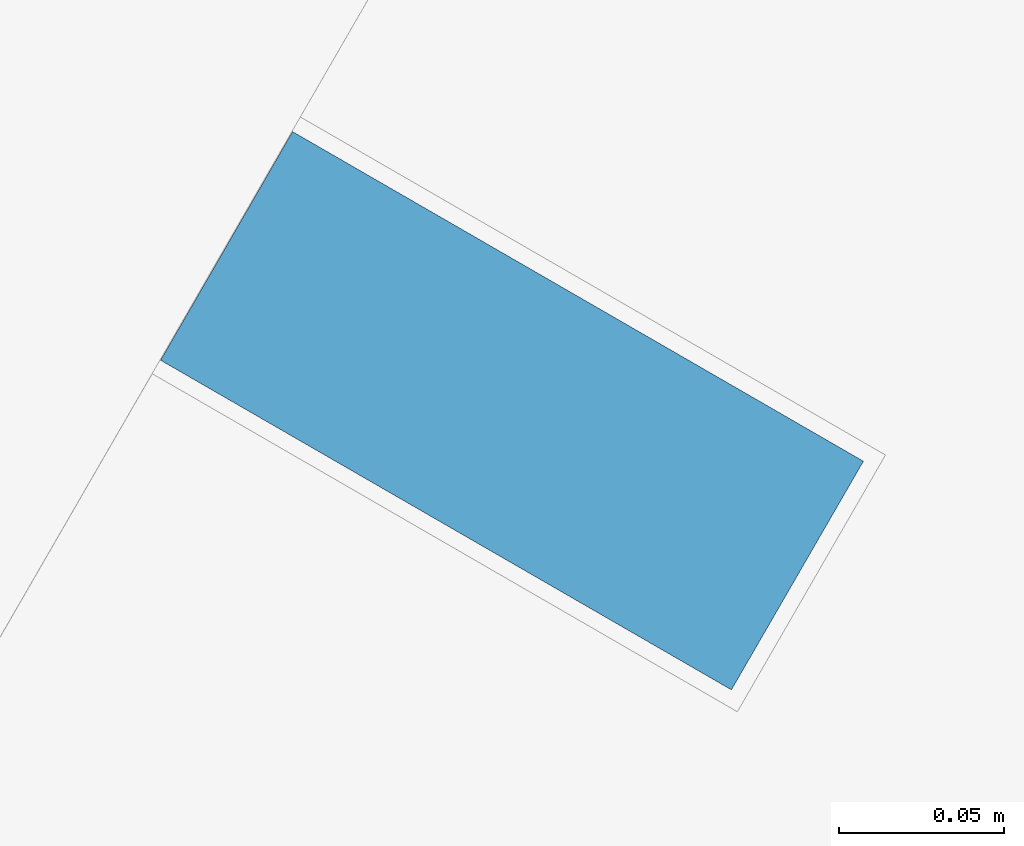
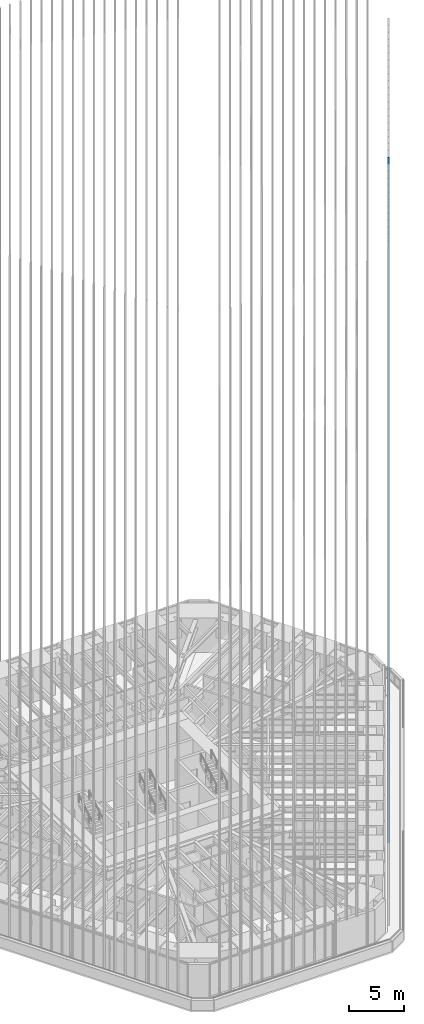
# One storey, part 88 of 238: 1 member, 1 element without a shape of its own.
"""IFC4 building model written with IfcOpenShell, lengths in metres."""

from ifc_helpers import new_model, si_unit, direction, frame, origin, origin_2d, place, context, subcontext, project, spatial, rectangle, extrude, material, material_profile, profile_set, type_object, element, aggregate, save


model = new_model("IFC4")

# Units and contexts
model_context = context("Model", 3, precision=1e-05, world=origin(), true_north=direction((0.0, 1.0)))
body_context = subcontext(model_context, "Body", "Model", "MODEL_VIEW")
ifc_project = project(units=[si_unit("LENGTHUNIT", "METRE"), si_unit("AREAUNIT", "SQUARE_METRE"), si_unit("VOLUMEUNIT", "CUBIC_METRE"), si_unit("PLANEANGLEUNIT", "RADIAN"), si_unit("MASSUNIT", "GRAM", prefix="KILO")], contexts=[model_context])

# Site, building, storey
site_placement = place(None, origin())
site = spatial("IfcSite", under=ifc_project, at=site_placement, CompositionType="ELEMENT")
building_placement = place(site_placement, origin())
building = spatial("IfcBuilding", under=site, at=building_placement, Name="Sandreach Pilgrim Tower", CompositionType="ELEMENT")
storey_placement = place(building_placement, frame((0.0, 0.0, 96.800048828125)))
storey = spatial("IfcBuildingStorey", under=building, at=storey_placement, Name="L23", CompositionType="ELEMENT", Elevation=96.800048828125)

# Curtain wall, member
ifc_material_1 = material(Name="Aluminium framed curtain wall", Category="aluminium")
curtain_wall_type = type_object("IfcCurtainWallType", Name="Hotel tower curtain wall", PredefinedType="NOTDEFINED", material=ifc_material_1)
curtain_wall_placement = place(storey_placement, origin())
curtain_wall = element("IfcCurtainWall", 1, at=curtain_wall_placement, inside=storey, type_object=curtain_wall_type, Name="CW-2 L23 SE", PredefinedType="NOTDEFINED")
ifc_material_2 = material(Name="Extruded terracotta on aluminium core", Category="masonry")
ifc_material_profile = material_profile(ifc_material_2, rectangle(XDim=0.080078125, YDim=0.199951171875, at=origin_2d()), Name="TBE 80X200")
ifc_profile_set = profile_set([ifc_material_profile], Name="Extruded terracotta on aluminium core")
member_type = type_object("IfcMemberType", Name="Terracotta baguette east", PredefinedType="USERDEFINED", material=ifc_profile_set)
member_placement = place(storey_placement, frame((17.625244140625, -15.260009765625, 0.0), z_axis=(0.0, 0.0, 1.0), x_axis=(-0.5, -0.866025403784, 0.0)))
member = element("IfcMember", 2, at=member_placement, type_object=member_type, Name="Baguette Z2 SE21", ObjectType="BAGUETTE", PredefinedType="USERDEFINED", context=body_context, shape_type="SweptSolid", body=[
    extrude(rectangle(XDim=0.080078125, YDim=0.199951171875, at=origin_2d()), origin(), (0.0, 0.0, 1.0), 75.83984375),
])
aggregate(curtain_wall, [member])

save(model, "model.ifc")
